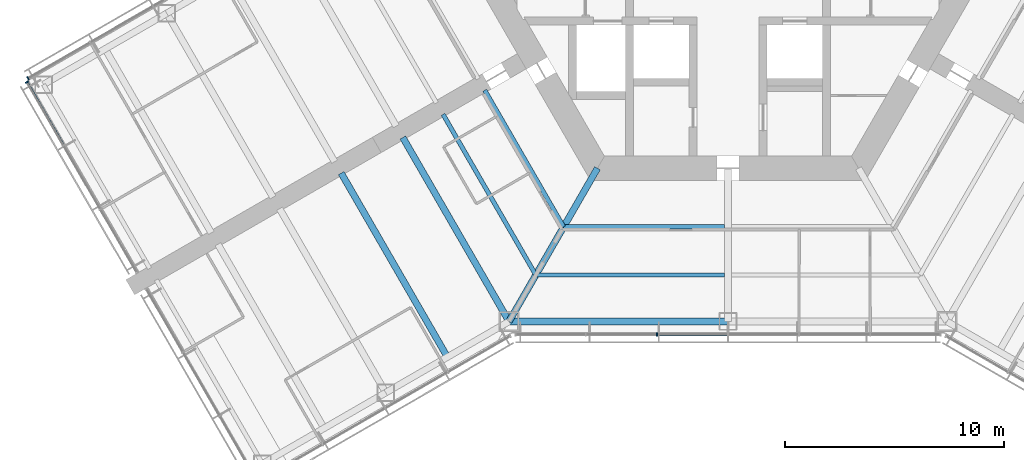
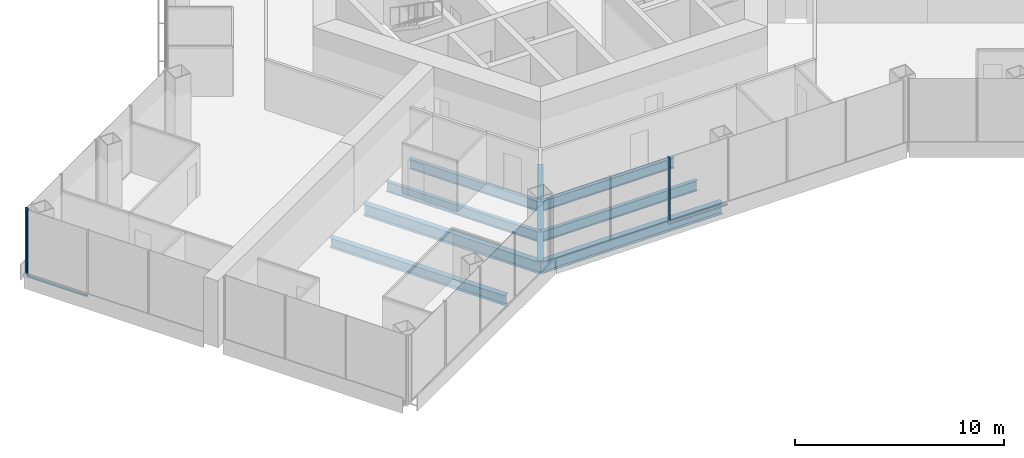
# One storey, part 3 of 18: 8 beams, 5 members, 3 elements without a shape of their own.
"""IFC4 building model written with IfcOpenShell, lengths in metres."""

from ifc_helpers import new_model, si_unit, direction, frame, origin, origin_2d, place, context, subcontext, project, spatial, rectangle, i_section, extrude, material, material_profile, profile_set, type_object, element, aggregate, save


model = new_model("IFC4")

# Units and contexts
model_context = context("Model", 3, precision=1e-05, world=origin(), true_north=direction((0.0, 1.0)))
body_context = subcontext(model_context, "Body", "Model", "MODEL_VIEW")
ifc_project = project(units=[si_unit("LENGTHUNIT", "METRE"), si_unit("AREAUNIT", "SQUARE_METRE"), si_unit("VOLUMEUNIT", "CUBIC_METRE"), si_unit("PLANEANGLEUNIT", "RADIAN"), si_unit("MASSUNIT", "GRAM", prefix="KILO")], contexts=[model_context])

# Site, building, storey
site_placement = place(None, origin())
site = spatial("IfcSite", under=ifc_project, at=site_placement, CompositionType="ELEMENT")
building_placement = place(site_placement, origin())
building = spatial("IfcBuilding", under=site, at=building_placement, Name="Kasaneha Research Tower", CompositionType="ELEMENT")
storey_placement = place(building_placement, frame((0.0, 0.0, 108.0)))
storey = spatial("IfcBuildingStorey", under=building, at=storey_placement, Name="L27", CompositionType="ELEMENT", Elevation=108.0)

# Beams
ifc_material_1 = material(Name="Steel SN490B", Category="steel")
ifc_material_profile_1 = material_profile(ifc_material_1, i_section(OverallWidth=0.199951171875, OverallDepth=0.60009765625, WebThickness=0.010986328125, FlangeThickness=0.01708984375, FilletRadius=0.012939453125, at=origin_2d()), Name="H-600x200x11x17")
ifc_profile_set_1 = profile_set([ifc_material_profile_1], Name="Steel SN490B")
beam_type_1 = type_object("IfcBeamType", Name="B1-3 secondary beam H-600x200x11x17", PredefinedType="JOIST", material=ifc_profile_set_1)
beam_1_placement = place(storey_placement, frame((-7.505615234375, -13.0, -0.449951171875), z_axis=(-0.499998147991, 0.86602647304, 0.0), x_axis=(-0.86602647304, -0.499998147991, 0.0)))
element("IfcBeam", 1, at=beam_1_placement, inside=storey, type_object=beam_type_1, Name="Secondary beam RS210R1 L27", PredefinedType="JOIST", context=body_context, shape_type="SweptSolid", body=[
    extrude(i_section(OverallWidth=0.199951171875, OverallDepth=0.60009765625, WebThickness=0.010986328125, FlangeThickness=0.01708984375, FilletRadius=0.012939453125, at=origin_2d()), origin(), (0.0, 0.0, 1.0), 7.20556640625),
])
beam_2_placement = place(storey_placement, frame((-8.775634765625, -15.199951171875, -0.449951171875), z_axis=(-0.500020829043, 0.866013377797, 0.0), x_axis=(-0.866013377797, -0.500020829043, 0.0)))
element("IfcBeam", 2, at=beam_2_placement, inside=storey, type_object=beam_type_1, Name="Secondary beam RS210R2 L27", PredefinedType="JOIST", context=body_context, shape_type="SweptSolid", body=[
    extrude(i_section(OverallWidth=0.199951171875, OverallDepth=0.60009765625, WebThickness=0.010986328125, FlangeThickness=0.01708984375, FilletRadius=0.012939453125, at=origin_2d()), origin(), (0.0, 0.0, 1.0), 8.475830078125),
])
beam_3_placement = place(storey_placement, frame((-7.505615234375, -13.0, -0.449951171875), z_axis=(1.0, 0.0, 0.0), x_axis=(0.0, 1.0, 0.0)))
element("IfcBeam", 3, at=beam_3_placement, inside=storey, type_object=beam_type_1, Name="Secondary beam RS270L1 L27", PredefinedType="JOIST", context=body_context, shape_type="SweptSolid", body=[
    extrude(i_section(OverallWidth=0.199951171875, OverallDepth=0.60009765625, WebThickness=0.010986328125, FlangeThickness=0.01708984375, FilletRadius=0.012939453125, at=origin_2d()), origin(), (0.0, 0.0, 1.0), 7.355712890625),
])
beam_4_placement = place(storey_placement, frame((-8.775634765625, -15.199951171875, -0.449951171875), z_axis=(1.0, 0.0, 0.0), x_axis=(0.0, 1.0, 0.0)))
element("IfcBeam", 4, at=beam_4_placement, inside=storey, type_object=beam_type_1, Name="Secondary beam RS270L2 L27", PredefinedType="JOIST", context=body_context, shape_type="SweptSolid", body=[
    extrude(i_section(OverallWidth=0.199951171875, OverallDepth=0.60009765625, WebThickness=0.010986328125, FlangeThickness=0.01708984375, FilletRadius=0.012939453125, at=origin_2d()), origin(), (0.0, 0.0, 1.0), 8.625732421875),
])
ifc_material_2 = material(Name="Steel SN490B", Category="steel")
ifc_material_profile_2 = material_profile(ifc_material_2, i_section(OverallWidth=0.300048828125, OverallDepth=0.58203125, WebThickness=0.011962890625, FlangeThickness=0.01708984375, FilletRadius=0.012939453125, at=origin_2d()), Name="H-582x300x12x17")
ifc_profile_set_2 = profile_set([ifc_material_profile_2], Name="Steel SN490B")
beam_type_2 = type_object("IfcBeamType", Name="B2-3 secondary beam H-582x300x12x17", PredefinedType="JOIST", material=ifc_profile_set_2)
beam_5_placement = place(storey_placement, frame((-12.814697265625, -18.945556640625, -0.44091796875), z_axis=(-0.499991164321, 0.866030505006, 0.0), x_axis=(-0.866030505006, -0.499991164321, 0.0)))
element("IfcBeam", 5, at=beam_5_placement, inside=storey, type_object=beam_type_2, Name="Secondary beam WBBN1 L27", PredefinedType="JOIST", context=body_context, shape_type="SweptSolid", body=[
    extrude(i_section(OverallWidth=0.300048828125, OverallDepth=0.58203125, WebThickness=0.011962890625, FlangeThickness=0.01708984375, FilletRadius=0.012939453125, at=origin_2d()), origin(), (0.0, 0.0, 1.0), 9.699951171875),
])

# Curtain wall, member
ifc_material_3 = material(Name="Glass and aluminium", Category="aluminium")
curtain_wall_type = type_object("IfcCurtainWallType", Name="Low-rise office curtain wall", PredefinedType="USERDEFINED", material=ifc_material_3)
curtain_wall_1_placement = place(storey_placement, origin())
curtain_wall_1 = element("IfcCurtainWall", 6, at=curtain_wall_1_placement, inside=storey, type_object=curtain_wall_type, Name="CW-O1 L27 run 02a", ObjectType="UNITISED CURTAIN WALL", PredefinedType="USERDEFINED")
ifc_material_4 = material(Name="Aluminium 6063-T6", Category="aluminium")
ifc_material_profile_3 = material_profile(ifc_material_4, rectangle(XDim=0.06005859375, YDim=0.159912109375, at=origin_2d()), Name="CW-O1 mullion 60x160")
ifc_profile_set_3 = profile_set([ifc_material_profile_3], Name="Aluminium 6063-T6")
member_type_1 = type_object("IfcMemberType", Name="CW-O1 mullion", PredefinedType="MULLION", material=ifc_profile_set_3)
member_1_placement = place(storey_placement, frame((-3.246337890625, -17.92041015625, 0.0), z_axis=(0.0, 0.0, 1.0), x_axis=(1.0, 0.0, 0.0)))
member_1 = element("IfcMember", 7, at=member_1_placement, type_object=member_type_1, Name="CW-O1 mullion 3", PredefinedType="MULLION", context=body_context, shape_type="SweptSolid", body=[
    extrude(rectangle(XDim=0.06005859375, YDim=0.159912109375, at=origin_2d()), origin(), (0.0, 0.0, 1.0), 3.89990234375),
])

curtain_wall_2_placement = place(storey_placement, origin())
curtain_wall_2 = element("IfcCurtainWall", 8, at=curtain_wall_2_placement, inside=storey, type_object=curtain_wall_type, Name="CW-O1 L27 run 13a", ObjectType="UNITISED CURTAIN WALL", PredefinedType="USERDEFINED")
member_2_placement = place(storey_placement, frame((-31.96533203125, -6.21533203125, 0.0), z_axis=(0.0, 0.0, 1.0), x_axis=(-0.866025411464, -0.499999986699, 0.0)))
member_2 = element("IfcMember", 9, at=member_2_placement, type_object=member_type_1, Name="CW-O1 mullion 5", PredefinedType="MULLION", context=body_context, shape_type="SweptSolid", body=[
    extrude(rectangle(XDim=0.06005859375, YDim=0.159912109375, at=origin_2d()), origin(), (0.0, 0.0, 1.0), 3.89990234375),
])
aggregate(curtain_wall_2, [member_2])

curtain_wall_3_placement = place(storey_placement, origin())
curtain_wall_3 = element("IfcCurtainWall", 10, at=curtain_wall_3_placement, inside=storey, type_object=curtain_wall_type, Name="CW-O1 L27 run 14a", ObjectType="UNITISED CURTAIN WALL", PredefinedType="USERDEFINED")
member_3_placement = place(storey_placement, frame((-32.012939453125, -6.39306640625, 0.0), z_axis=(0.0, 0.0, 1.0), x_axis=(0.500000011442, -0.866025397178, 0.0)))
member_3 = element("IfcMember", 11, at=member_3_placement, type_object=member_type_1, Name="CW-O1 mullion 1", PredefinedType="MULLION", context=body_context, shape_type="SweptSolid", body=[
    extrude(rectangle(XDim=0.06005859375, YDim=0.159912109375, at=origin_2d()), origin(), (0.0, 0.0, 1.0), 3.89990234375),
])

# Member
ifc_material_5 = material(Name="Aluminium 6063-T6", Category="aluminium")
ifc_material_profile_4 = material_profile(ifc_material_5, rectangle(XDim=0.1201171875, YDim=0.06005859375, at=origin_2d()), Name="CW-O1 transom 120x60")
ifc_profile_set_4 = profile_set([ifc_material_profile_4], Name="Aluminium 6063-T6")
member_type_2 = type_object("IfcMemberType", Name="CW-O1 transom", PredefinedType="USERDEFINED", material=ifc_profile_set_4)
member_4_placement = place(storey_placement, frame((-3.21630859375, -17.92041015625, 0.030029296875), z_axis=(1.0, 0.0, 0.0), x_axis=(0.0, 1.0, 0.0)))
member_4 = element("IfcMember", 12, at=member_4_placement, type_object=member_type_2, Name="CW-O1 transom 3", ObjectType="TRANSOM", PredefinedType="USERDEFINED", context=body_context, shape_type="SweptSolid", body=[
    extrude(rectangle(XDim=0.1201171875, YDim=0.06005859375, at=origin_2d()), origin(), (0.0, 0.0, 1.0), 3.186279296875),
])

aggregate(curtain_wall_1, [member_1, member_4])

member_5_placement = place(storey_placement, frame((-31.998046875, -6.4189453125, 0.030029296875), z_axis=(0.500025583411, -0.866010632691, 0.0), x_axis=(0.866010632691, 0.500025583411, 0.0)))
member_5 = element("IfcMember", 13, at=member_5_placement, type_object=member_type_2, Name="CW-O1 transom 1", ObjectType="TRANSOM", PredefinedType="USERDEFINED", context=body_context, shape_type="SweptSolid", body=[
    extrude(rectangle(XDim=0.1201171875, YDim=0.06005859375, at=origin_2d()), origin(), (0.0, 0.0, 1.0), 3.276611328125),
])

aggregate(curtain_wall_3, [member_3, member_5])

# Beams
ifc_material_6 = material(Name="Steel SN490B", Category="steel")
ifc_material_profile_5 = material_profile(ifc_material_6, i_section(OverallWidth=0.300048828125, OverallDepth=0.699951171875, WebThickness=0.012939453125, FlangeThickness=0.02392578125, FilletRadius=0.01806640625, at=origin_2d()), Name="H-700x300x13x24")
ifc_profile_set_5 = profile_set([ifc_material_profile_5], Name="Steel SN490B")
beam_type_3 = type_object("IfcBeamType", Name="G1-3 radial girder H-700x300x13x24", PredefinedType="BEAM", material=ifc_profile_set_5)
beam_6_placement = place(storey_placement, frame((-5.961181640625, -10.324951171875, -0.5), z_axis=(-0.49999105496, -0.866030568144, 0.0), x_axis=(0.866030568144, -0.49999105496, 0.0)))
element("IfcBeam", 14, at=beam_6_placement, inside=storey, type_object=beam_type_3, Name="Radial girder RV240 L27", PredefinedType="BEAM", context=body_context, shape_type="SweptSolid", body=[
    extrude(i_section(OverallWidth=0.300048828125, OverallDepth=0.699951171875, WebThickness=0.012939453125, FlangeThickness=0.02392578125, FilletRadius=0.01806640625, at=origin_2d()), origin(), (0.0, 0.0, 1.0), 8.077880859375),
])
ifc_material_7 = material(Name="Steel SN490B", Category="steel")
ifc_material_profile_6 = material_profile(ifc_material_7, i_section(OverallWidth=0.300048828125, OverallDepth=0.69189453125, WebThickness=0.012939453125, FlangeThickness=0.02001953125, FilletRadius=0.01806640625, at=origin_2d()), Name="H-692x300x13x20")
ifc_profile_set_6 = profile_set([ifc_material_profile_6], Name="Steel SN490B")
beam_type_4 = type_object("IfcBeamType", Name="G3-3 plate edge girder H-692x300x13x20", PredefinedType="BEAM", material=ifc_profile_set_6)
beam_7_placement = place(storey_placement, frame((-10.0, -17.320556640625, -0.49609375), z_axis=(-0.500010041276, 0.866019606374, 0.0), x_axis=(-0.866019606374, -0.500010041276, 0.0)))
element("IfcBeam", 15, at=beam_7_placement, inside=storey, type_object=beam_type_4, Name="Plate edge girder PEBN L27", PredefinedType="BEAM", context=body_context, shape_type="SweptSolid", body=[
    extrude(i_section(OverallWidth=0.300048828125, OverallDepth=0.69189453125, WebThickness=0.012939453125, FlangeThickness=0.02001953125, FilletRadius=0.01806640625, at=origin_2d()), origin(), (0.0, 0.0, 1.0), 9.699951171875),
])
ifc_material_8 = material(Name="Steel SN490B", Category="steel")
ifc_material_profile_7 = material_profile(ifc_material_8, i_section(OverallWidth=0.300048828125, OverallDepth=0.69189453125, WebThickness=0.012939453125, FlangeThickness=0.02001953125, FilletRadius=0.01806640625, at=origin_2d()), Name="H-692x300x13x20")
ifc_profile_set_7 = profile_set([ifc_material_profile_7], Name="Steel SN490B")
beam_type_5 = type_object("IfcBeamType", Name="SB1-3 spandrel beam H-692x300x13x20", PredefinedType="SPANDREL", material=ifc_profile_set_7)
beam_8_placement = place(storey_placement, frame((-10.0, -17.320556640625, -0.49609375), z_axis=(1.0, 0.0, 0.0), x_axis=(0.0, 1.0, 0.0)))
element("IfcBeam", 16, at=beam_8_placement, inside=storey, type_object=beam_type_5, Name="Spandrel beam SR270L L27", PredefinedType="SPANDREL", context=body_context, shape_type="SweptSolid", body=[
    extrude(i_section(OverallWidth=0.300048828125, OverallDepth=0.69189453125, WebThickness=0.012939453125, FlangeThickness=0.02001953125, FilletRadius=0.01806640625, at=origin_2d()), origin(), (0.0, 0.0, 1.0), 10.0),
])

save(model, "model.ifc")
